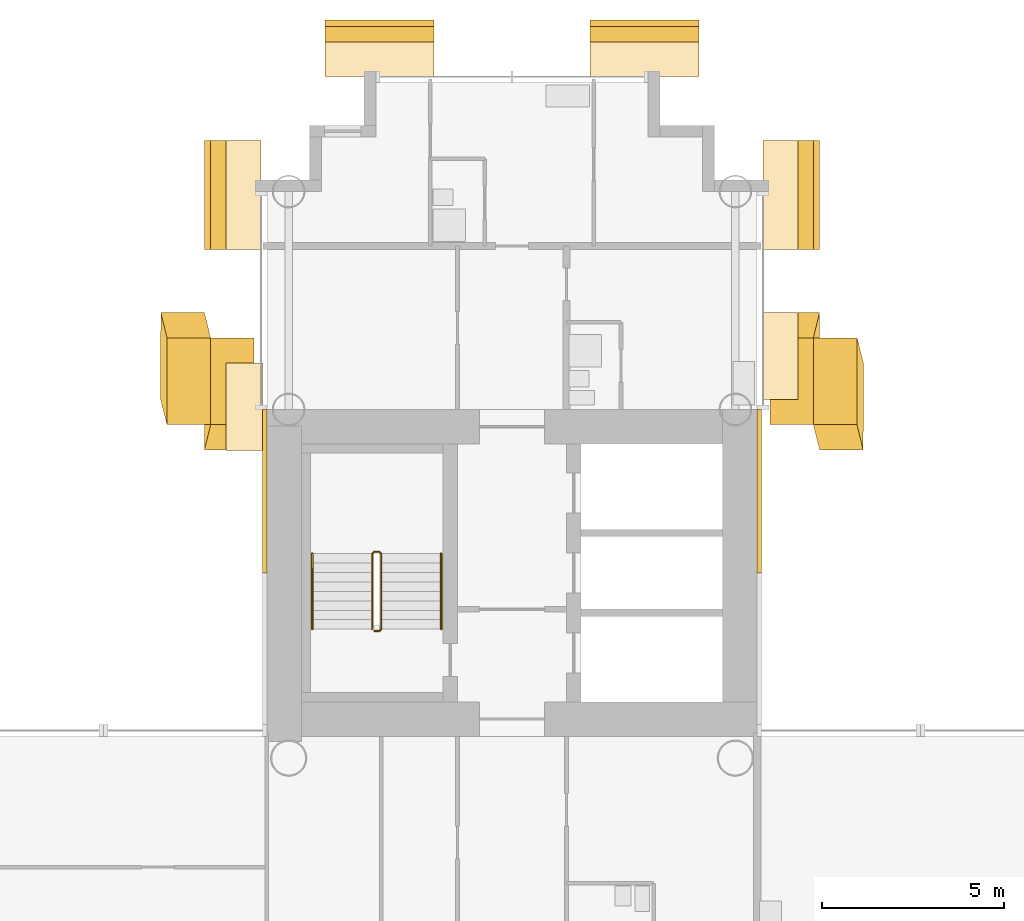
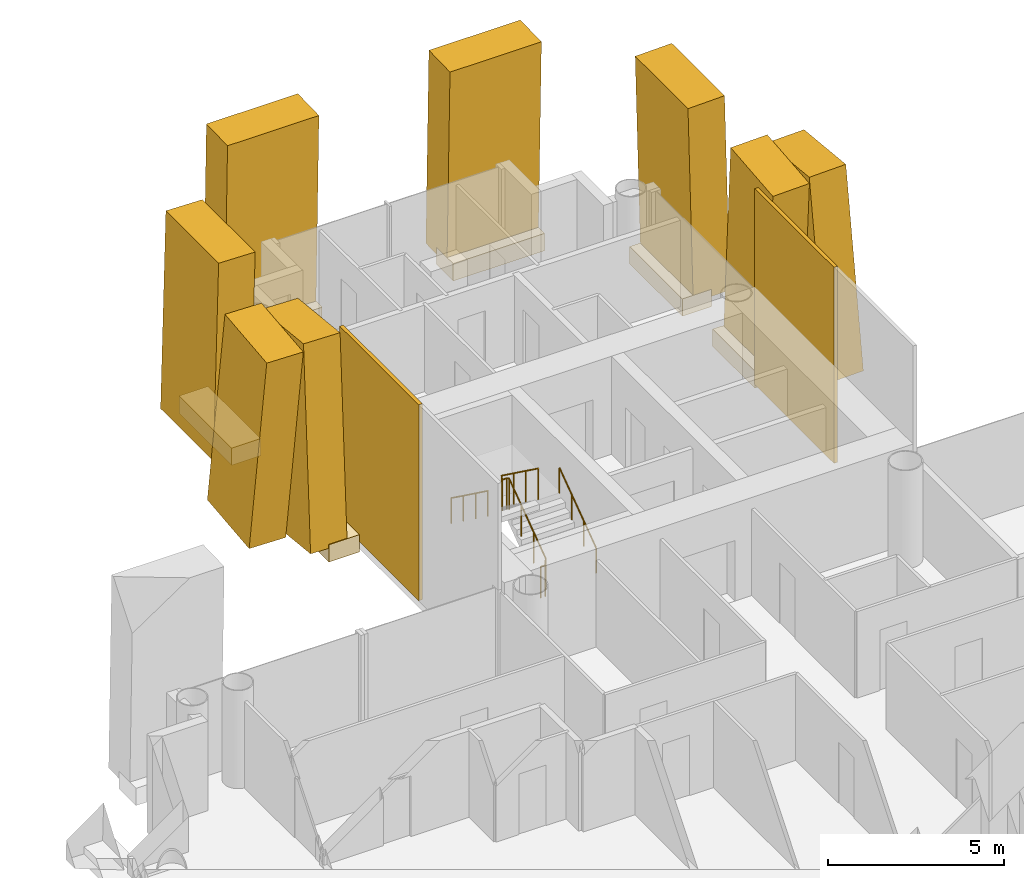
# One storey, part 20 of 21: 16 coverings, 3 railings.
"""IFC4 building model written with IfcOpenShell, lengths in metres."""

from ifc_helpers import new_model, si_unit, direction, frame, origin, origin_2d, place, context, subcontext, project, spatial, rectangle, circle, extrude, material, layer, layer_set, material_profile, profile_set, type_object, element, save


model = new_model("IFC4")

# Units and contexts
model_context = context("Model", 3, precision=1e-05, world=origin(), true_north=direction((0.0, 1.0)))
body_context = subcontext(model_context, "Body", "Model", "MODEL_VIEW")
ifc_project = project(units=[si_unit("LENGTHUNIT", "METRE"), si_unit("AREAUNIT", "SQUARE_METRE"), si_unit("VOLUMEUNIT", "CUBIC_METRE"), si_unit("PLANEANGLEUNIT", "RADIAN"), si_unit("MASSUNIT", "GRAM", prefix="KILO")], contexts=[model_context])

# Site, building, storey
site_placement = place(None, origin())
site = spatial("IfcSite", under=ifc_project, at=site_placement, CompositionType="ELEMENT")
building_placement = place(site_placement, origin())
building = spatial("IfcBuilding", under=site, at=building_placement, Name="Ipe Terrace Towers", CompositionType="ELEMENT")
storey_placement = place(building_placement, frame((0.0, 0.0, 93.60009765625)))
storey = spatial("IfcBuildingStorey", under=building, at=storey_placement, Name="L25", CompositionType="ELEMENT", Elevation=93.60009765625)

# Coverings
ifc_material_1 = material(Name="Concrete C50/60 precast, buff finish", Category="concrete")
ifc_layer = layer(ifc_material_1, 0.1201171875)
ifc_layer_set = layer_set([ifc_layer], Name="STONE CORE CLADDING 120")
covering_type_1 = type_object("IfcCoveringType", Name="STONE CORE CLADDING 120", PredefinedType="CLADDING", material=ifc_layer_set)
for number, where, z_axis, x_axis, name in (
    (1, (29.18994140625, 13.5, 0.0), (0.0, 0.0, 1.0), (0.0, -1.0, 0.0), "stone core cladding"),
    (2, (42.81005859375, 13.5, 0.0), (0.0, 0.0, 1.0), (0.0, 1.0, 0.0), "stone core cladding"),
):
    element("IfcCovering", number, at=place(storey_placement, frame(where, z_axis=z_axis, x_axis=x_axis)), inside=storey, type_object=covering_type_1, Name=name, PredefinedType="CLADDING", context=body_context, shape_type="SweptSolid", body=[
        extrude(rectangle(XDim=4.5009765625, YDim=0.1201171875, at=origin_2d()), origin(), (0.0, 0.0, 1.0), 6.800048828125),
    ])
ifc_material_2 = material(Name="Concrete C50/60 precast, buff finish", Category="concrete")
ifc_material_profile_1 = material_profile(ifc_material_2, rectangle(XDim=2.39990234375, YDim=1.199951171875, at=origin_2d()), Name="STONE FIN 2400 x 1200")
ifc_profile_set_1 = profile_set([ifc_material_profile_1], Name="Concrete C50/60 precast, buff finish")
covering_type_2 = type_object("IfcCoveringType", Name="STONE FIN 2400 x 1200", PredefinedType="USERDEFINED", material=ifc_profile_set_1)
for number, where, z_axis, x_axis, name in (
    (3, (26.927001953125, 17.22607421875, 0.0), (0.025313600502, -0.102539718816, 0.994406771746), (-0.002609403875, -0.994728910842, -0.102506511726), "stone fin"),
    (4, (28.126953125, 15.823974609375, 0.0), (0.025313693159, 0.102504390775, 0.994410411656), (0.002608504855, -0.994732551931, 0.102471195126), "stone fin"),
    (5, (43.873046875, 17.22607421875, 0.0), (-0.025313600502, -0.102539718816, 0.994406771746), (-0.002609403875, 0.994728910842, 0.102506511726), "stone fin"),
    (6, (45.072998046875, 15.823974609375, 0.0), (-0.025313693159, 0.102504390775, 0.994410411656), (0.002608504855, 0.994732551931, -0.102471195126), "stone fin"),
):
    element("IfcCovering", number, at=place(storey_placement, frame(where, z_axis=z_axis, x_axis=x_axis)), inside=storey, type_object=covering_type_2, Name=name, ObjectType="FIN", PredefinedType="USERDEFINED", context=body_context, shape_type="SweptSolid", body=[
        extrude(rectangle(XDim=2.39990234375, YDim=1.199951171875, at=origin_2d()), origin(), (0.0, 0.0, 1.0), 6.838134765625),
    ])
ifc_material_3 = material(Name="Concrete C50/60 precast, buff finish", Category="concrete")
ifc_material_profile_2 = material_profile(ifc_material_3, rectangle(XDim=3.0, YDim=1.199951171875, at=origin_2d()), Name="STONE FIN CORNER 3000 x 1200")
ifc_profile_set_2 = profile_set([ifc_material_profile_2], Name="Concrete C50/60 precast, buff finish")
covering_type_3 = type_object("IfcCoveringType", Name="STONE FIN CORNER 3000 x 1200", PredefinedType="USERDEFINED", material=ifc_profile_set_2)
for number, where, z_axis, x_axis, name in (
    (7, (28.126953125, 21.64990234375, 0.0), (0.025447737796, 0.0, 0.999676153882), (0.0, -1.0, 0.0), "stone fin"),
    (8, (32.35009765625, 25.873046875, 0.0), (0.0, -0.025447737796, 0.999676153882), (-1.0, 0.0, 0.0), "stone fin"),
    (9, (39.64990234375, 25.873046875, 0.0), (0.0, -0.025447737796, 0.999676153882), (-1.0, 0.0, 0.0), "stone fin"),
    (10, (43.873046875, 21.64990234375, 0.0), (-0.025447737796, 0.0, 0.999676153882), (0.0, 1.0, 0.0), "stone fin"),
):
    element("IfcCovering", number, at=place(storey_placement, frame(where, z_axis=z_axis, x_axis=x_axis)), inside=storey, type_object=covering_type_3, Name=name, ObjectType="FIN", PredefinedType="USERDEFINED", context=body_context, shape_type="SweptSolid", body=[
        extrude(rectangle(XDim=3.0, YDim=1.199951171875, at=origin_2d()), origin(), (0.0, 0.0, 1.0), 6.802001953125),
    ])
ifc_material_4 = material(Name="Concrete C50/60 precast, buff finish", Category="concrete")
covering_type_4 = type_object("IfcCoveringType", Name="STONE FIN SHELF 2400 x 600", PredefinedType="CLADDING", material=ifc_material_4)
covering_1_placement = place(storey_placement, frame((28.633056640625, 15.823974609375, -0.35009765625), z_axis=(0.0, 0.0, 1.0), x_axis=(0.0, -1.0, 0.0)))
element("IfcCovering", 11, at=covering_1_placement, inside=storey, type_object=covering_type_4, Name="stone fin shelf", PredefinedType="CLADDING", context=body_context, shape_type="SweptSolid", body=[
    extrude(rectangle(XDim=2.39990234375, YDim=1.012939453125, at=origin_2d()), origin(), (0.0, 0.0, 1.0), 0.60009765625),
])
covering_2_placement = place(storey_placement, frame((43.39501953125, 17.22607421875, -0.35009765625), z_axis=(0.0, 0.0, 1.0), x_axis=(0.0, 1.0, 0.0)))
element("IfcCovering", 12, at=covering_2_placement, inside=storey, type_object=covering_type_4, Name="stone fin shelf", PredefinedType="CLADDING", context=body_context, shape_type="SweptSolid", body=[
    extrude(rectangle(XDim=2.39990234375, YDim=0.95703125, at=origin_2d()), origin(), (0.0, 0.0, 1.0), 0.60009765625),
])
ifc_material_5 = material(Name="Concrete C50/60 precast, buff finish", Category="concrete")
covering_type_5 = type_object("IfcCoveringType", Name="STONE FIN SHELF 3000 x 600", PredefinedType="CLADDING", material=ifc_material_5)
for number, where, z_axis, x_axis, name in (
    (13, (28.60498046875, 21.64990234375, -0.35009765625), (0.0, 0.0, 1.0), (0.0, -1.0, 0.0), "stone fin shelf"),
    (14, (32.35009765625, 25.39501953125, -0.35009765625), (0.0, 0.0, 1.0), (-1.0, 0.0, 0.0), "stone fin shelf"),
    (15, (39.64990234375, 25.39501953125, -0.35009765625), (0.0, 0.0, 1.0), (-1.0, 0.0, 0.0), "stone fin shelf"),
    (16, (43.39501953125, 21.64990234375, -0.35009765625), (0.0, 0.0, 1.0), (0.0, 1.0, 0.0), "stone fin shelf"),
):
    element("IfcCovering", number, at=place(storey_placement, frame(where, z_axis=z_axis, x_axis=x_axis)), inside=storey, type_object=covering_type_5, Name=name, PredefinedType="CLADDING", context=body_context, shape_type="SweptSolid", body=[
        extrude(rectangle(XDim=3.0, YDim=0.95703125, at=origin_2d()), origin(), (0.0, 0.0, 1.0), 0.60009765625),
    ])

# Railings
ifc_material_6 = material(Name="Steel S355", Category="steel")
railing_type_1 = type_object("IfcRailingType", Name="Stair guard 1100", PredefinedType="GUARDRAIL", material=ifc_material_6)
railing_1_placement = place(storey_placement, frame((32.199951171875, 9.64990234375, 0.0)))
element("IfcRailing", 17, at=railing_1_placement, inside=storey, type_object=railing_type_1, Name="L25 T2-ST1 stair guard 1", PredefinedType="GUARDRAIL", context=body_context, shape_type="SweptSolid", body=[
    extrude(circle(Radius=0.02392578125, at=origin_2d()), frame((0.0, 0.0, 1.076171875), z_axis=(1.0, 0.0, 0.0), x_axis=(0.0, 1.0, 0.0)), (0.0, 0.0, 1.0), 0.150146484375),
    extrude(circle(Radius=0.02392578125, at=origin_2d()), frame((0.150146484375, 0.0, 1.076171875), z_axis=(0.247173786771, 0.248385422981, 0.936594790069), x_axis=(-0.708833529934, 0.705375805398, 0.0)), (0.0, 0.0, 1.0), 0.201416015625),
    extrude(circle(Radius=0.02392578125, at=origin_2d()), frame((0.199951171875, 0.050048828125, 1.2646484375), z_axis=(0.0, 0.809023421508, 0.587776406001), x_axis=(-1.0, 0.0, 0.0)), (0.0, 0.0, 1.0), 2.571044921875),
    extrude(circle(Radius=0.02392578125, at=origin_2d()), frame((0.199951171875, 2.130126953125, 2.77587890625), z_axis=(-0.705375805398, 0.708833529934, 0.0), x_axis=(-0.708833529934, -0.705375805398, 0.0)), (0.0, 0.0, 1.0), 0.070556640625),
    extrude(circle(Radius=0.02392578125, at=origin_2d()), frame((0.150146484375, 2.18017578125, 2.77587890625), z_axis=(-1.0, 0.0, 0.0), x_axis=(0.0, -1.0, 0.0)), (0.0, 0.0, 1.0), 0.150146484375),
    extrude(circle(Radius=0.02392578125, at=origin_2d()), frame((0.0, 2.18017578125, 2.77587890625), z_axis=(-0.248310886586, -0.248310886586, 0.936313733321), x_axis=(0.707106781187, -0.707106781187, 0.0)), (0.0, 0.0, 1.0), 0.20166015625),
    extrude(circle(Radius=0.02392578125, at=origin_2d()), frame((-0.050048828125, 2.130126953125, 2.96484375), z_axis=(0.0, -0.809023421508, 0.587776406001), x_axis=(1.0, 0.0, 0.0)), (0.0, 0.0, 1.0), 2.571044921875),
    extrude(circle(Radius=0.02099609375, at=origin_2d()), origin(), (0.0, 0.0, 1.0), 1.052001953125),
    extrude(circle(Radius=0.02099609375, at=origin_2d()), frame((0.150146484375, 0.0, 0.0)), (0.0, 0.0, 1.0), 1.052001953125),
    extrude(circle(Radius=0.02099609375, at=origin_2d()), frame((0.199951171875, 0.050048828125, 0.188720703125)), (0.0, 0.0, 1.0), 1.052001953125),
    extrude(circle(Radius=0.02099609375, at=origin_2d()), frame((0.199951171875, 0.743408203125, 0.6923828125)), (0.0, 0.0, 1.0), 1.052001953125),
    extrude(circle(Radius=0.02099609375, at=origin_2d()), frame((0.199951171875, 1.436767578125, 1.1962890625)), (0.0, 0.0, 1.0), 1.052001953125),
    extrude(circle(Radius=0.02099609375, at=origin_2d()), frame((0.199951171875, 2.130126953125, 1.699951171875)), (0.0, 0.0, 1.0), 1.052001953125),
    extrude(circle(Radius=0.02099609375, at=origin_2d()), frame((0.150146484375, 2.18017578125, 1.699951171875)), (0.0, 0.0, 1.0), 1.052001953125),
    extrude(circle(Radius=0.02099609375, at=origin_2d()), frame((0.0, 2.18017578125, 1.699951171875)), (0.0, 0.0, 1.0), 1.052001953125),
    extrude(circle(Radius=0.02099609375, at=origin_2d()), frame((-0.050048828125, 2.130126953125, 1.888671875)), (0.0, 0.0, 1.0), 1.052001953125),
    extrude(circle(Radius=0.02099609375, at=origin_2d()), frame((-0.050048828125, 1.436767578125, 2.392333984375)), (0.0, 0.0, 1.0), 1.052001953125),
    extrude(circle(Radius=0.02099609375, at=origin_2d()), frame((-0.050048828125, 0.743408203125, 2.896240234375)), (0.0, 0.0, 1.0), 1.052001953125),
    extrude(circle(Radius=0.02099609375, at=origin_2d()), frame((-0.050048828125, 0.050048828125, 3.39990234375)), (0.0, 0.0, 1.0), 1.052001953125),
])
ifc_material_7 = material(Name="Stainless steel grade 304", Category="steel")
railing_type_2 = type_object("IfcRailingType", Name="Stair handrail 900", PredefinedType="HANDRAIL", material=ifc_material_7)
railing_2_placement = place(storey_placement, frame((34.050048828125, 9.699951171875, 0.188720703125)))
element("IfcRailing", 18, at=railing_2_placement, inside=storey, type_object=railing_type_2, Name="L25 T2-ST1 stair handrail 1", PredefinedType="HANDRAIL", context=body_context, shape_type="SweptSolid", body=[
    extrude(circle(Radius=0.02392578125, at=origin_2d()), frame((0.0, 0.0, 0.8759765625), z_axis=(0.0, 0.809023421508, 0.587776406001), x_axis=(-1.0, 0.0, 0.0)), (0.0, 0.0, 1.0), 2.571044921875),
    extrude(circle(Radius=0.02099609375, at=origin_2d()), origin(), (0.0, 0.0, 1.0), 0.851806640625),
    extrude(circle(Radius=0.02099609375, at=origin_2d()), frame((0.0, 0.693359375, 0.503662109375)), (0.0, 0.0, 1.0), 0.851806640625),
    extrude(circle(Radius=0.02099609375, at=origin_2d()), frame((0.0, 1.38671875, 1.007568359375)), (0.0, 0.0, 1.0), 0.851806640625),
    extrude(circle(Radius=0.02099609375, at=origin_2d()), frame((0.0, 2.080078125, 1.51123046875)), (0.0, 0.0, 1.0), 0.851806640625),
])
railing_3_placement = place(storey_placement, frame((30.5, 11.780029296875, 1.888671875)))
element("IfcRailing", 19, at=railing_3_placement, inside=storey, type_object=railing_type_2, Name="L25 T2-ST1 stair handrail 2", PredefinedType="HANDRAIL", context=body_context, shape_type="SweptSolid", body=[
    extrude(circle(Radius=0.02392578125, at=origin_2d()), frame((0.0, 0.0, 0.8759765625), z_axis=(0.0, -0.809023421508, 0.587776406001), x_axis=(1.0, 0.0, 0.0)), (0.0, 0.0, 1.0), 2.571044921875),
    extrude(circle(Radius=0.02099609375, at=origin_2d()), origin(), (0.0, 0.0, 1.0), 0.851806640625),
    extrude(circle(Radius=0.02099609375, at=origin_2d()), frame((0.0, -0.693359375, 0.503662109375)), (0.0, 0.0, 1.0), 0.851806640625),
    extrude(circle(Radius=0.02099609375, at=origin_2d()), frame((0.0, -1.38671875, 1.007568359375)), (0.0, 0.0, 1.0), 0.851806640625),
    extrude(circle(Radius=0.02099609375, at=origin_2d()), frame((0.0, -2.080078125, 1.51123046875)), (0.0, 0.0, 1.0), 0.851806640625),
])

save(model, "model.ifc")
